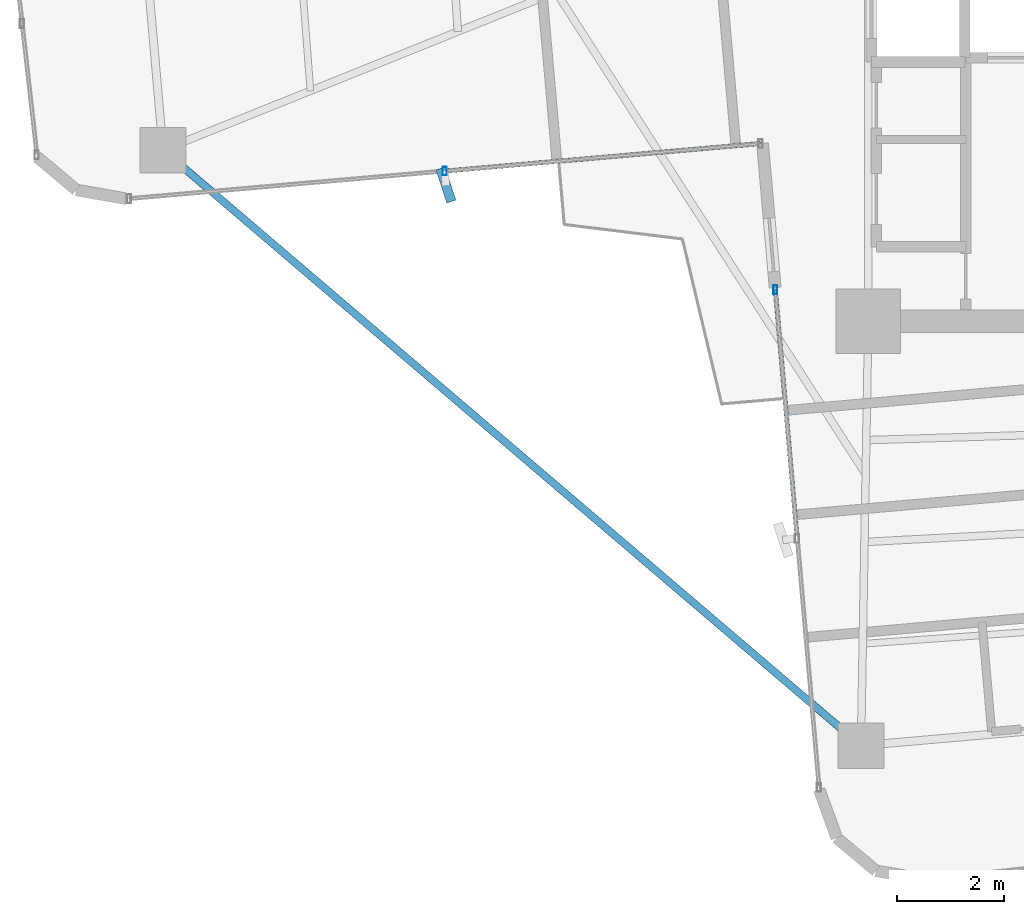
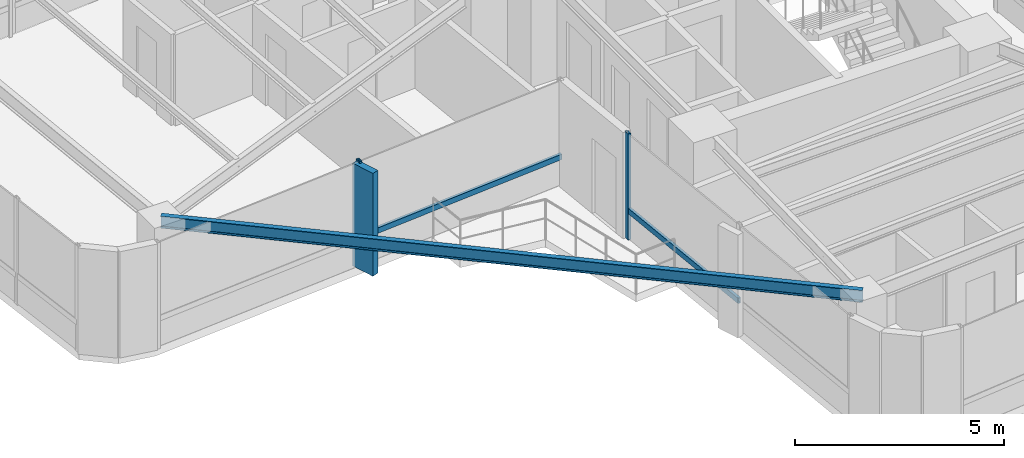
# One storey, part 4 of 24: 5 members, 1 beam, 2 elements without a shape of their own.
"""IFC4 building model written with IfcOpenShell, lengths in metres."""

from ifc_helpers import new_model, si_unit, direction, frame, origin, origin_2d, place, context, subcontext, project, spatial, rectangle, hollow_rectangle, i_section, extrude, source, transform, mapped, material, material_profile, profile_set, type_object, element, aggregate, save


model = new_model("IFC4")

# Units and contexts
model_context = context("Model", 3, precision=1e-05, world=origin(), true_north=direction((0.0, 1.0)))
body_context = subcontext(model_context, "Body", "Model", "MODEL_VIEW")
ifc_project = project(units=[si_unit("LENGTHUNIT", "METRE"), si_unit("AREAUNIT", "SQUARE_METRE"), si_unit("VOLUMEUNIT", "CUBIC_METRE"), si_unit("PLANEANGLEUNIT", "RADIAN"), si_unit("MASSUNIT", "GRAM", prefix="KILO")], contexts=[model_context])

# Site, building, storey
site_placement = place(None, origin())
site = spatial("IfcSite", under=ifc_project, at=site_placement, CompositionType="ELEMENT")
building_placement = place(site_placement, origin())
building = spatial("IfcBuilding", under=site, at=building_placement, Name="Sahyath Konkavel Grand Hotel", CompositionType="ELEMENT")
storey_placement = place(building_placement, frame((0.0, 0.0, 191.949951171875)))
storey = spatial("IfcBuildingStorey", under=building, at=storey_placement, Name="L53", CompositionType="ELEMENT", Elevation=191.949951171875)

# Beam
ifc_material_1 = material(Name="Steel E350", Category="steel")
ifc_material_profile_1 = material_profile(ifc_material_1, i_section(OverallWidth=0.139892578125, OverallDepth=0.35009765625, WebThickness=0.008056640625, FlangeThickness=0.01416015625, FilletRadius=0.013916015625, at=origin_2d()), Name="ISMB 350")
ifc_profile_set_1 = profile_set([ifc_material_profile_1], Name="Steel E350")
beam_type = type_object("IfcBeamType", Name="BM-ISMB350", PredefinedType="BEAM", material=ifc_profile_set_1)
shared_shape_1 = source(origin(), body_context, "Body", "SweptSolid", [
    extrude(i_section(OverallWidth=0.139892578125, OverallDepth=0.35009765625, WebThickness=0.008056640625, FlangeThickness=0.01416015625, FilletRadius=0.013916015625, at=origin_2d()), origin(), (0.0, 0.0, 1.0), 17.11279296875),
])
beam_placement = place(storey_placement, frame((-16.9541015625, -7.00439453125, 2.93505859375), z_axis=(0.760711911164, -0.649089661151, 0.0), x_axis=(0.649089661151, 0.760711911164, 0.0)))
element("IfcBeam", 1, at=beam_placement, inside=storey, type_object=beam_type, Name="L53 Re-Entrant Tie Beam SW", PredefinedType="BEAM", context=body_context, shape_type="MappedRepresentation", body=[
    mapped(shared_shape_1, transform((0.0, 0.0, 0.0), scale=1.0)),
])

# Curtain wall, members
ifc_material_2 = material(Name="Anodised Bronze Aluminium & Low-E Glazing", Category="aluminium")
curtain_wall_type = type_object("IfcCurtainWallType", Name="CW-ZONE3", PredefinedType="NOTDEFINED", material=ifc_material_2)
curtain_wall_1_placement = place(storey_placement, origin())
curtain_wall_1 = element("IfcCurtainWall", 2, at=curtain_wall_1_placement, inside=storey, type_object=curtain_wall_type, Name="L53 Unitised Curtain Wall F23", PredefinedType="NOTDEFINED")
ifc_material_3 = material(Name="Warm Buff Sandstone Cladding on Concrete C50/60", Category="masonry")
ifc_material_profile_2 = material_profile(ifc_material_3, rectangle(XDim=0.179931640625, YDim=0.64990234375, at=origin_2d()), Name="FIN 180x650")
ifc_profile_set_2 = profile_set([ifc_material_profile_2], Name="Warm Buff Sandstone Cladding on Concrete C50/60")
member_type_1 = type_object("IfcMemberType", Name="FIN-SANDSTONE-650", PredefinedType="MULLION", material=ifc_profile_set_2)
shared_shape_2 = source(origin(), body_context, "Body", "SweptSolid", [
    extrude(rectangle(XDim=0.179931640625, YDim=0.64990234375, at=origin_2d()), origin(), (0.0, 0.0, 1.0), 3.010009765625),
])
member_1_placement = place(storey_placement, frame((-11.677001953125, -7.656982421875, 0.050048828125), z_axis=(0.0, 0.0, 1.0), x_axis=(0.951110435449, 0.308850998993, 0.0)))
member_1 = element("IfcMember", 3, at=member_1_placement, type_object=member_type_1, Name="L53 Sandstone Vertical Solar Fin FIN F23-1", PredefinedType="MULLION", context=body_context, shape_type="MappedRepresentation", body=[
    mapped(shared_shape_2, transform((0.0, 0.0, 0.0), scale=1.0)),
])
ifc_material_4 = material(Name="Anodised Bronze Aluminium", Category="aluminium")
ifc_material_profile_3 = material_profile(ifc_material_4, hollow_rectangle(XDim=0.080078125, YDim=0.159912109375, WallThickness=0.006103515625, at=origin_2d()), Name="RHS 160x80x6")
ifc_profile_set_3 = profile_set([ifc_material_profile_3], Name="Anodised Bronze Aluminium")
member_type_2 = type_object("IfcMemberType", Name="CW-MUL-160", PredefinedType="MULLION", material=ifc_profile_set_3)
shared_shape_3 = source(origin(), body_context, "Body", "SweptSolid", [
    extrude(hollow_rectangle(XDim=0.080078125, YDim=0.159912109375, WallThickness=0.006103515625, at=origin_2d()), origin(), (0.0, 0.0, 1.0), 3.110107421875),
])
member_2_placement = place(storey_placement, frame((-11.69970703125, -7.39794921875, 0.0), z_axis=(0.0, 0.0, 1.0), x_axis=(1.0, 0.0, 0.0)))
member_2 = element("IfcMember", 4, at=member_2_placement, type_object=member_type_2, Name="L53 Curtain Wall Mullion F23-1", PredefinedType="MULLION", context=body_context, shape_type="MappedRepresentation", body=[
    mapped(shared_shape_3, transform((0.0, 0.0, 0.0), scale=1.0)),
])

# Curtain wall, member
curtain_wall_2_placement = place(storey_placement, origin())
curtain_wall_2 = element("IfcCurtainWall", 5, at=curtain_wall_2_placement, inside=storey, type_object=curtain_wall_type, Name="L53 Unitised Curtain Wall F24", PredefinedType="NOTDEFINED")
member_3_placement = place(storey_placement, frame((-5.53369140625, -9.60888671875, 0.0), z_axis=(0.0, 0.0, 1.0), x_axis=(1.0, 0.0, 0.0)))
member_3 = element("IfcMember", 6, at=member_3_placement, type_object=member_type_2, Name="L53 Curtain Wall Mullion F24-0", PredefinedType="MULLION", context=body_context, shape_type="MappedRepresentation", body=[
    mapped(shared_shape_3, transform((0.0, 0.0, 0.0), scale=1.0)),
])

# Member
ifc_material_profile_4 = material_profile(ifc_material_4, hollow_rectangle(XDim=0.080078125, YDim=0.159912109375, WallThickness=0.006103515625, at=origin_2d()), Name="RHS 160x80x6")
ifc_profile_set_4 = profile_set([ifc_material_profile_4], Name="Anodised Bronze Aluminium")
member_type_3 = type_object("IfcMemberType", Name="CW-TRN-160", PredefinedType="USERDEFINED", material=ifc_profile_set_4)
shared_shape_4 = source(origin(), body_context, "Body", "SweptSolid", [
    extrude(hollow_rectangle(XDim=0.080078125, YDim=0.159912109375, WallThickness=0.006103515625, at=origin_2d()), origin(), (0.0, 0.0, 1.0), 5.909912109375),
])
member_4_placement = place(storey_placement, frame((-11.69970703125, -7.39794921875, 0.85009765625), z_axis=(0.996193941691, 0.087164388014, 0.0), x_axis=(-0.087164388014, 0.996193941691, 0.0)))
member_4 = element("IfcMember", 7, at=member_4_placement, type_object=member_type_3, Name="L53 Curtain Wall Transom F23-1-spandrel", ObjectType="TRANSOM", PredefinedType="USERDEFINED", context=body_context, shape_type="MappedRepresentation", body=[
    mapped(shared_shape_4, transform((0.0, 0.0, 0.0), scale=1.0)),
])

aggregate(curtain_wall_1, [member_2, member_1, member_4])

shared_shape_5 = source(origin(), body_context, "Body", "SweptSolid", [
    extrude(hollow_rectangle(XDim=0.080078125, YDim=0.159912109375, WallThickness=0.006103515625, at=origin_2d()), origin(), (0.0, 0.0, 1.0), 4.66015625),
])
member_5_placement = place(storey_placement, frame((-5.53369140625, -9.60888671875, 0.85009765625), z_axis=(0.087176698736, -0.996192864458, 0.0), x_axis=(0.996192864458, 0.087176698736, 0.0)))
member_5 = element("IfcMember", 8, at=member_5_placement, type_object=member_type_3, Name="L53 Curtain Wall Transom F24-0-spandrel", ObjectType="TRANSOM", PredefinedType="USERDEFINED", context=body_context, shape_type="MappedRepresentation", body=[
    mapped(shared_shape_5, transform((0.0, 0.0, 0.0), scale=1.0)),
])

aggregate(curtain_wall_2, [member_3, member_5])

save(model, "model.ifc")
